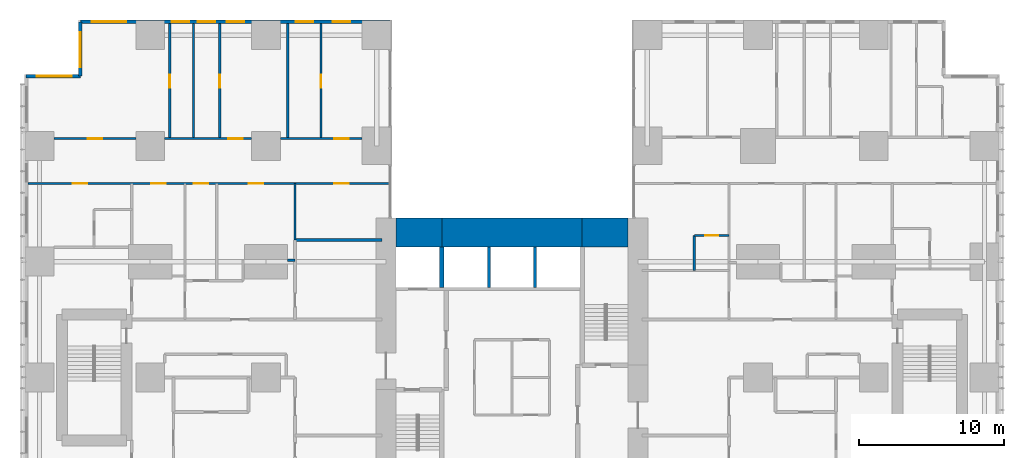
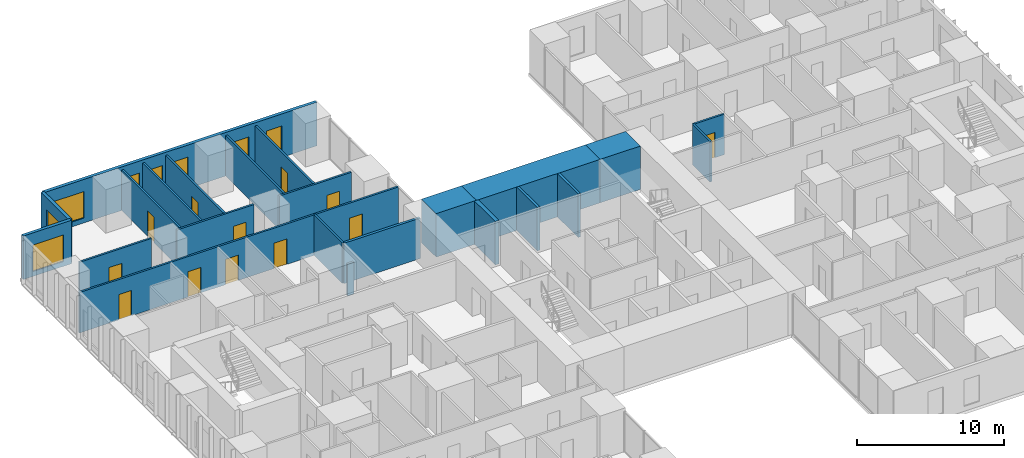
# One storey, part 17 of 21: 23 walls, 12 doors, 8 windows, 20 openings.
"""IFC4 building model written with IfcOpenShell, lengths in metres."""

from ifc_helpers import new_model, si_unit, direction, frame, frame_2d, origin, place, context, subcontext, project, spatial, rectangle, extrude, material, layer, layer_set, type_object, element, fill, save


model = new_model("IFC4")

# Units and contexts
model_context = context("Model", 3, precision=1e-05, world=origin(), true_north=direction((0.0, 1.0)))
body_context = subcontext(model_context, "Body", "Model", "MODEL_VIEW")
ifc_project = project(units=[si_unit("LENGTHUNIT", "METRE"), si_unit("AREAUNIT", "SQUARE_METRE"), si_unit("VOLUMEUNIT", "CUBIC_METRE"), si_unit("PLANEANGLEUNIT", "RADIAN"), si_unit("MASSUNIT", "GRAM", prefix="KILO")], contexts=[model_context])

# Site, building, storey
site_placement = place(None, origin())
site = spatial("IfcSite", under=ifc_project, at=site_placement, CompositionType="ELEMENT")
building_placement = place(site_placement, origin())
building = spatial("IfcBuilding", under=site, at=building_placement, Name="Cleftline Residences", CompositionType="ELEMENT")
storey_placement = place(building_placement, frame((0.0, 0.0, 161.0)))
storey = spatial("IfcBuildingStorey", under=building, at=storey_placement, Name="L42", CompositionType="ELEMENT", Elevation=161.0)

# Walls
ifc_material_1 = material(Name="Concrete B70", Category="concrete")
ifc_layer_1 = layer(ifc_material_1, 2.0)
ifc_layer_set_1 = layer_set([ifc_layer_1], Name="CORE WALL 2000")
wall_type_1 = type_object("IfcWallType", Name="CORE WALL 2000", PredefinedType="SHEAR", material=ifc_layer_set_1)
wall_1_placement = place(storey_placement, frame((25.0, 34.0, 0.0), z_axis=(0.0, 0.0, 1.0), x_axis=(1.0, 0.0, 0.0)))
element("IfcWall", 1, at=wall_1_placement, inside=storey, type_object=wall_type_1, Name="Core wall N1", PredefinedType="SHEAR", context=body_context, shape_type="SweptSolid", body=[
    extrude(rectangle(XDim=3.14990234375, YDim=2.0, at=frame_2d((1.574951171875, 0.0))), origin(), (0.0, 0.0, 1.0), 3.60009765625),
])
wall_2_placement = place(storey_placement, frame((28.14990234375, 34.0, 0.0), z_axis=(0.0, 0.0, 1.0), x_axis=(1.0, 0.0, 0.0)))
element("IfcWall", 2, at=wall_2_placement, inside=storey, type_object=wall_type_1, Name="Core wall N2", PredefinedType="SHEAR", context=body_context, shape_type="SweptSolid", body=[
    extrude(rectangle(XDim=9.7001953125, YDim=2.0, at=frame_2d((4.85009765625, 0.0))), origin(), (0.0, 0.0, 1.0), 3.60009765625),
])
wall_3_placement = place(storey_placement, frame((37.85009765625, 34.0, 0.0), z_axis=(0.0, 0.0, 1.0), x_axis=(1.0, 0.0, 0.0)))
element("IfcWall", 3, at=wall_3_placement, inside=storey, type_object=wall_type_1, Name="Core wall N3", PredefinedType="SHEAR", context=body_context, shape_type="SweptSolid", body=[
    extrude(rectangle(XDim=3.14990234375, YDim=2.0, at=frame_2d((1.574951171875, 0.0))), origin(), (0.0, 0.0, 1.0), 3.60009765625),
])
ifc_material_2 = material(Name="Concrete B70", Category="concrete")
ifc_layer_2 = layer(ifc_material_2, 0.300048828125)
ifc_layer_set_2 = layer_set([ifc_layer_2], Name="CORE WALL 300")
wall_type_2 = type_object("IfcWallType", Name="CORE WALL 300", PredefinedType="SHEAR", material=ifc_layer_set_2)
wall_4_placement = place(storey_placement, frame((28.14990234375, 30.199951171875, 0.0), z_axis=(0.0, 0.0, 1.0), x_axis=(0.0, 1.0, 0.0)))
element("IfcWall", 4, at=wall_4_placement, inside=storey, type_object=wall_type_2, Name="Lift shaft wall", PredefinedType="SHEAR", context=body_context, shape_type="SweptSolid", body=[
    extrude(rectangle(XDim=2.800048828125, YDim=0.300048828125, at=frame_2d((1.39990234375, 0.0))), origin(), (0.0, 0.0, 1.0), 3.60009765625),
])

# Wall, openings, windows
ifc_material_3 = material(Name="Rendered reinforced concrete blockwork", Category="masonry")
ifc_layer_3 = layer(ifc_material_3, 0.25)
ifc_layer_set_3 = layer_set([ifc_layer_3], Name="EXTERNAL WALL 250")
wall_type_3 = type_object("IfcWallType", Name="EXTERNAL WALL 250", PredefinedType="SOLIDWALL", material=ifc_layer_set_3)
wall_5_placement = place(storey_placement, frame((24.574951171875, 48.574951171875, 0.0), z_axis=(0.0, 0.0, 1.0), x_axis=(-1.0, 0.0, 0.0)))
wall_5 = element("IfcWall", 5, at=wall_5_placement, inside=storey, type_object=wall_type_3, Name="External wall", PredefinedType="SOLIDWALL", context=body_context, shape_type="SweptSolid", body=[
    extrude(rectangle(XDim=21.39990234375, YDim=0.25, at=frame_2d((10.699951171875, 0.0))), origin(), (0.0, 0.0, 1.0), 3.60009765625),
])
opening_1_placement = place(wall_5_placement, frame((2.75, 0.0, 0.39990234375)))
opening_1 = element("IfcOpeningElement", 6, at=opening_1_placement, cuts=wall_5, Name="Opening W11", PredefinedType="OPENING", context=body_context, shape_type="SweptSolid", body=[
    extrude(rectangle(XDim=1.199951171875, YDim=2.199951171875, at=frame_2d((0.60009765625, 1.10009765625))), frame((0.0, 0.135009765625, 0.0), z_axis=(0.0, -1.0, 0.0), x_axis=(1.0, 0.0, 0.0)), (0.0, 0.0, 1.0), 0.27001953125),
])
opening_2_placement = place(wall_5_placement, frame((5.324951171875, 0.0, 0.39990234375)))
opening_2 = element("IfcOpeningElement", 7, at=opening_2_placement, cuts=wall_5, Name="Opening W11", PredefinedType="OPENING", context=body_context, shape_type="SweptSolid", body=[
    extrude(rectangle(XDim=1.199951171875, YDim=2.199951171875, at=frame_2d((0.60009765625, 1.10009765625))), frame((0.0, 0.135009765625, 0.0), z_axis=(0.0, -1.0, 0.0), x_axis=(1.0, 0.0, 0.0)), (0.0, 0.0, 1.0), 0.27001953125),
])
opening_3_placement = place(wall_5_placement, frame((10.074951171875, 0.0, 0.39990234375)))
opening_3 = element("IfcOpeningElement", 8, at=opening_3_placement, cuts=wall_5, Name="Opening W11", PredefinedType="OPENING", context=body_context, shape_type="SweptSolid", body=[
    extrude(rectangle(XDim=1.199951171875, YDim=2.199951171875, at=frame_2d((0.60009765625, 1.10009765625))), frame((0.0, 0.135009765625, 0.0), z_axis=(0.0, -1.0, 0.0), x_axis=(1.0, 0.0, 0.0)), (0.0, 0.0, 1.0), 0.27001953125),
])
opening_4_placement = place(wall_5_placement, frame((12.074951171875, 0.0, 0.39990234375)))
opening_4 = element("IfcOpeningElement", 9, at=opening_4_placement, cuts=wall_5, Name="Opening W11", PredefinedType="OPENING", context=body_context, shape_type="SweptSolid", body=[
    extrude(rectangle(XDim=1.199951171875, YDim=2.199951171875, at=frame_2d((0.60009765625, 1.10009765625))), frame((0.0, 0.135009765625, 0.0), z_axis=(0.0, -1.0, 0.0), x_axis=(1.0, 0.0, 0.0)), (0.0, 0.0, 1.0), 0.27001953125),
])
opening_5_placement = place(wall_5_placement, frame((13.875, 0.0, 0.39990234375)))
opening_5 = element("IfcOpeningElement", 10, at=opening_5_placement, cuts=wall_5, Name="Opening W11", PredefinedType="OPENING", context=body_context, shape_type="SweptSolid", body=[
    extrude(rectangle(XDim=1.199951171875, YDim=2.199951171875, at=frame_2d((0.60009765625, 1.10009765625))), frame((0.0, 0.135009765625, 0.0), z_axis=(0.0, -1.0, 0.0), x_axis=(1.0, 0.0, 0.0)), (0.0, 0.0, 1.0), 0.27001953125),
])
opening_6_placement = place(wall_5_placement, frame((18.22509765625, 0.0, 0.39990234375)))
opening_6 = element("IfcOpeningElement", 11, at=opening_6_placement, cuts=wall_5, Name="Opening W12", PredefinedType="OPENING", context=body_context, shape_type="SweptSolid", body=[
    extrude(rectangle(XDim=2.39990234375, YDim=2.199951171875, at=frame_2d((1.199951171875, 1.10009765625))), frame((0.0, 0.135009765625, 0.0), z_axis=(0.0, -1.0, 0.0), x_axis=(1.0, 0.0, 0.0)), (0.0, 0.0, 1.0), 0.27001953125),
])
ifc_material_4 = material(Name="Aluminium frame, clear double glazing", Category="aluminium")
window_type_1 = type_object("IfcWindowType", Name="WINDOW 1200X2200", PartitioningType="DOUBLE_PANEL_VERTICAL", PredefinedType="WINDOW", material=ifc_material_4)
window_1_placement = place(opening_1_placement, origin())
window_1 = element("IfcWindow", 12, at=window_1_placement, inside=storey, type_object=window_type_1, Name="Window", OverallHeight=2.199951171875, OverallWidth=1.199951171875, PartitioningType="SINGLE_PANEL", PredefinedType="WINDOW", context=body_context, shape_type="SweptSolid", body=[
    extrude(rectangle(XDim=1.199951171875, YDim=2.199951171875, at=frame_2d((0.60009765625, 1.10009765625))), frame((0.0, 0.030029296875, 0.0), z_axis=(0.0, -1.0, 0.0), x_axis=(1.0, 0.0, 0.0)), (0.0, 0.0, 1.0), 0.06005859375),
])
fill(opening_1, window_1)
window_2_placement = place(opening_2_placement, origin())
window_2 = element("IfcWindow", 13, at=window_2_placement, inside=storey, type_object=window_type_1, Name="Window", OverallHeight=2.199951171875, OverallWidth=1.199951171875, PartitioningType="SINGLE_PANEL", PredefinedType="WINDOW", context=body_context, shape_type="SweptSolid", body=[
    extrude(rectangle(XDim=1.199951171875, YDim=2.199951171875, at=frame_2d((0.60009765625, 1.10009765625))), frame((0.0, 0.030029296875, 0.0), z_axis=(0.0, -1.0, 0.0), x_axis=(1.0, 0.0, 0.0)), (0.0, 0.0, 1.0), 0.06005859375),
])
fill(opening_2, window_2)
window_3_placement = place(opening_3_placement, origin())
window_3 = element("IfcWindow", 14, at=window_3_placement, inside=storey, type_object=window_type_1, Name="Window", OverallHeight=2.199951171875, OverallWidth=1.199951171875, PartitioningType="SINGLE_PANEL", PredefinedType="WINDOW", context=body_context, shape_type="SweptSolid", body=[
    extrude(rectangle(XDim=1.199951171875, YDim=2.199951171875, at=frame_2d((0.60009765625, 1.10009765625))), frame((0.0, 0.030029296875, 0.0), z_axis=(0.0, -1.0, 0.0), x_axis=(1.0, 0.0, 0.0)), (0.0, 0.0, 1.0), 0.06005859375),
])
fill(opening_3, window_3)
window_4_placement = place(opening_4_placement, origin())
window_4 = element("IfcWindow", 15, at=window_4_placement, inside=storey, type_object=window_type_1, Name="Window", OverallHeight=2.199951171875, OverallWidth=1.199951171875, PartitioningType="SINGLE_PANEL", PredefinedType="WINDOW", context=body_context, shape_type="SweptSolid", body=[
    extrude(rectangle(XDim=1.199951171875, YDim=2.199951171875, at=frame_2d((0.60009765625, 1.10009765625))), frame((0.0, 0.030029296875, 0.0), z_axis=(0.0, -1.0, 0.0), x_axis=(1.0, 0.0, 0.0)), (0.0, 0.0, 1.0), 0.06005859375),
])
fill(opening_4, window_4)
window_5_placement = place(opening_5_placement, origin())
window_5 = element("IfcWindow", 16, at=window_5_placement, inside=storey, type_object=window_type_1, Name="Window", OverallHeight=2.199951171875, OverallWidth=1.199951171875, PartitioningType="SINGLE_PANEL", PredefinedType="WINDOW", context=body_context, shape_type="SweptSolid", body=[
    extrude(rectangle(XDim=1.199951171875, YDim=2.199951171875, at=frame_2d((0.60009765625, 1.10009765625))), frame((0.0, 0.030029296875, 0.0), z_axis=(0.0, -1.0, 0.0), x_axis=(1.0, 0.0, 0.0)), (0.0, 0.0, 1.0), 0.06005859375),
])
fill(opening_5, window_5)
ifc_material_5 = material(Name="Aluminium frame, clear double glazing", Category="aluminium")
window_type_2 = type_object("IfcWindowType", Name="WINDOW 2400X2200", PartitioningType="DOUBLE_PANEL_VERTICAL", PredefinedType="WINDOW", material=ifc_material_5)
window_6_placement = place(opening_6_placement, origin())
window_6 = element("IfcWindow", 17, at=window_6_placement, inside=storey, type_object=window_type_2, Name="Window", OverallHeight=2.199951171875, OverallWidth=2.39990234375, PartitioningType="SINGLE_PANEL", PredefinedType="WINDOW", context=body_context, shape_type="SweptSolid", body=[
    extrude(rectangle(XDim=2.39990234375, YDim=2.199951171875, at=frame_2d((1.199951171875, 1.10009765625))), frame((0.0, 0.030029296875, 0.0), z_axis=(0.0, -1.0, 0.0), x_axis=(1.0, 0.0, 0.0)), (0.0, 0.0, 1.0), 0.06005859375),
])
fill(opening_6, window_6)

# Wall, opening, window
wall_6_placement = place(storey_placement, frame((3.175048828125, 48.574951171875, 0.0), z_axis=(0.0, 0.0, 1.0), x_axis=(0.0, -1.0, 0.0)))
wall_6 = element("IfcWall", 18, at=wall_6_placement, inside=storey, type_object=wall_type_3, Name="External wall", PredefinedType="SOLIDWALL", context=body_context, shape_type="SweptSolid", body=[
    extrude(rectangle(XDim=3.75, YDim=0.25, at=frame_2d((1.875, 0.0))), origin(), (0.0, 0.0, 1.0), 3.60009765625),
])
opening_7_placement = place(wall_6_placement, frame((0.737548828125, 0.0, 0.39990234375)))
opening_7 = element("IfcOpeningElement", 19, at=opening_7_placement, cuts=wall_6, Name="Opening W12", PredefinedType="OPENING", context=body_context, shape_type="SweptSolid", body=[
    extrude(rectangle(XDim=2.39990234375, YDim=2.199951171875, at=frame_2d((1.199951171875, 1.10009765625))), frame((0.0, 0.135009765625, 0.0), z_axis=(0.0, -1.0, 0.0), x_axis=(1.0, 0.0, 0.0)), (0.0, 0.0, 1.0), 0.27001953125),
])
window_7_placement = place(opening_7_placement, origin())
window_7 = element("IfcWindow", 20, at=window_7_placement, inside=storey, type_object=window_type_2, Name="Window", OverallHeight=2.199951171875, OverallWidth=2.39990234375, PartitioningType="SINGLE_PANEL", PredefinedType="WINDOW", context=body_context, shape_type="SweptSolid", body=[
    extrude(rectangle(XDim=2.39990234375, YDim=2.199951171875, at=frame_2d((1.199951171875, 1.10009765625))), frame((0.0, 0.030029296875, 0.0), z_axis=(0.0, -1.0, 0.0), x_axis=(1.0, 0.0, 0.0)), (0.0, 0.0, 1.0), 0.06005859375),
])
fill(opening_7, window_7)

wall_7_placement = place(storey_placement, frame((3.175048828125, 44.824951171875, 0.0), z_axis=(0.0, 0.0, 1.0), x_axis=(-1.0, 0.0, 0.0)))
wall_7 = element("IfcWall", 21, at=wall_7_placement, inside=storey, type_object=wall_type_3, Name="External wall", PredefinedType="SOLIDWALL", context=body_context, shape_type="SweptSolid", body=[
    extrude(rectangle(XDim=3.75, YDim=0.25, at=frame_2d((1.875, 0.0))), origin(), (0.0, 0.0, 1.0), 3.60009765625),
])
opening_8_placement = place(wall_7_placement, frame((0.612548828125, 0.0, 0.39990234375)))
opening_8 = element("IfcOpeningElement", 22, at=opening_8_placement, cuts=wall_7, Name="Opening W12", PredefinedType="OPENING", context=body_context, shape_type="SweptSolid", body=[
    extrude(rectangle(XDim=2.39990234375, YDim=2.199951171875, at=frame_2d((1.199951171875, 1.10009765625))), frame((0.0, 0.135009765625, 0.0), z_axis=(0.0, -1.0, 0.0), x_axis=(1.0, 0.0, 0.0)), (0.0, 0.0, 1.0), 0.27001953125),
])
window_8_placement = place(opening_8_placement, origin())
window_8 = element("IfcWindow", 23, at=window_8_placement, inside=storey, type_object=window_type_2, Name="Window", OverallHeight=2.199951171875, OverallWidth=2.39990234375, PartitioningType="SINGLE_PANEL", PredefinedType="WINDOW", context=body_context, shape_type="SweptSolid", body=[
    extrude(rectangle(XDim=2.39990234375, YDim=2.199951171875, at=frame_2d((1.199951171875, 1.10009765625))), frame((0.0, 0.030029296875, 0.0), z_axis=(0.0, -1.0, 0.0), x_axis=(1.0, 0.0, 0.0)), (0.0, 0.0, 1.0), 0.06005859375),
])
fill(opening_8, window_8)

# Walls
ifc_material_6 = material(Name="Concrete blockwork, fire rated", Category="masonry")
ifc_layer_4 = layer(ifc_material_6, 0.199951171875)
ifc_layer_set_4 = layer_set([ifc_layer_4], Name="FIRE WALL 200")
wall_type_4 = type_object("IfcWallType", Name="FIRE WALL 200", PredefinedType="PARTITIONING", material=ifc_layer_set_4)
wall_8_placement = place(storey_placement, frame((18.0, 33.5, 0.0), z_axis=(0.0, 0.0, 1.0), x_axis=(1.0, 0.0, 0.0)))
element("IfcWall", 24, at=wall_8_placement, inside=storey, type_object=wall_type_4, Name="Fire separating wall", PredefinedType="PARTITIONING", context=body_context, shape_type="SweptSolid", body=[
    extrude(rectangle(XDim=6.0, YDim=0.199951171875, at=frame_2d((3.0, 0.0))), origin(), (0.0, 0.0, 1.0), 3.35009765625),
])
ifc_material_7 = material(Name="Gypsum board on steel studs", Category="steel")
ifc_layer_5 = layer(ifc_material_7, 0.14990234375)
ifc_layer_set_5 = layer_set([ifc_layer_5], Name="PARTITION 150")
wall_type_5 = type_object("IfcWallType", Name="PARTITION 150", PredefinedType="PARTITIONING", material=ifc_layer_set_5)
wall_9_placement = place(storey_placement, frame((17.5, 32.10009765625, 0.0), z_axis=(0.0, 0.0, 1.0), x_axis=(1.0, 0.0, 0.0)))
element("IfcWall", 25, at=wall_9_placement, inside=storey, type_object=wall_type_5, Name="Partition", PredefinedType="PARTITIONING", context=body_context, shape_type="SweptSolid", body=[
    extrude(rectangle(XDim=0.5, YDim=0.14990234375, at=frame_2d((0.25, 0.0))), origin(), (0.0, 0.0, 1.0), 2.634033203125),
])

# Wall, opening, door
wall_10_placement = place(storey_placement, frame((45.60009765625, 33.800048828125, 0.0), z_axis=(0.0, 0.0, 1.0), x_axis=(1.0, 0.0, 0.0)))
wall_10 = element("IfcWall", 26, at=wall_10_placement, inside=storey, type_object=wall_type_5, Name="Partition", PredefinedType="PARTITIONING", context=body_context, shape_type="SweptSolid", body=[
    extrude(rectangle(XDim=2.39990234375, YDim=0.14990234375, at=frame_2d((1.199951171875, 0.0))), origin(), (0.0, 0.0, 1.0), 3.35009765625),
])
opening_9_placement = place(wall_10_placement, frame((0.75, 0.0, 0.0)))
opening_9 = element("IfcOpeningElement", 27, at=opening_9_placement, cuts=wall_10, Name="Opening D1", PredefinedType="OPENING", context=body_context, shape_type="SweptSolid", body=[
    extrude(rectangle(XDim=0.89990234375, YDim=2.10009765625, at=frame_2d((0.449951171875, 1.050048828125))), frame((0.0, 0.0849609375, 0.0), z_axis=(0.0, -1.0, 0.0), x_axis=(1.0, 0.0, 0.0)), (0.0, 0.0, 1.0), 0.169921875),
])
ifc_material_8 = material(Name="Timber veneer on solid core", Category="wood")
door_type_1 = type_object("IfcDoorType", Name="DOOR 900X2100", OperationType="SINGLE_SWING_LEFT", PredefinedType="DOOR", material=ifc_material_8)
door_1_placement = place(opening_9_placement, origin())
door_1 = element("IfcDoor", 28, at=door_1_placement, inside=storey, type_object=door_type_1, Name="Door to staff shower room", OperationType="SINGLE_SWING_LEFT", OverallHeight=2.10009765625, OverallWidth=0.89990234375, PredefinedType="DOOR", context=body_context, shape_type="SweptSolid", body=[
    extrude(rectangle(XDim=0.89990234375, YDim=2.10009765625, at=frame_2d((0.449951171875, 1.050048828125))), frame((0.0, 0.02490234375, 0.0), z_axis=(0.0, -1.0, 0.0), x_axis=(1.0, 0.0, 0.0)), (0.0, 0.0, 1.0), 0.050048828125),
])
fill(opening_9, door_1)

# Wall, openings, doors
wall_11_placement = place(storey_placement, frame((-0.449951171875, 37.39990234375, 0.0), z_axis=(0.0, 0.0, 1.0), x_axis=(1.0, 0.0, 0.0)))
wall_11 = element("IfcWall", 29, at=wall_11_placement, inside=storey, type_object=wall_type_5, Name="Partition", PredefinedType="PARTITIONING", context=body_context, shape_type="SweptSolid", body=[
    extrude(rectangle(XDim=25.010986328125, YDim=0.14990234375, at=frame_2d((12.50537109375, 0.0))), origin(), (0.0, 0.0, 1.0), 3.35009765625),
])
opening_10_placement = place(wall_11_placement, frame((11.449951171875, 0.0, 0.0)))
opening_10 = element("IfcOpeningElement", 30, at=opening_10_placement, cuts=wall_11, Name="Opening D2", PredefinedType="OPENING", context=body_context, shape_type="SweptSolid", body=[
    extrude(rectangle(XDim=1.0, YDim=2.10009765625, at=frame_2d((0.5, 1.050048828125))), frame((0.0, 0.0849609375, 0.0), z_axis=(0.0, -1.0, 0.0), x_axis=(1.0, 0.0, 0.0)), (0.0, 0.0, 1.0), 0.169921875),
])
opening_11_placement = place(wall_11_placement, frame((3.08740234375, 0.0, 0.0)))
opening_11 = element("IfcOpeningElement", 31, at=opening_11_placement, cuts=wall_11, Name="Opening D2", PredefinedType="OPENING", context=body_context, shape_type="SweptSolid", body=[
    extrude(rectangle(XDim=1.0, YDim=2.10009765625, at=frame_2d((0.5, 1.050048828125))), frame((0.0, 0.0849609375, 0.0), z_axis=(0.0, -1.0, 0.0), x_axis=(1.0, 0.0, 0.0)), (0.0, 0.0, 1.0), 0.169921875),
])
opening_12_placement = place(wall_11_placement, frame((8.512451171875, 0.0, 0.0)))
opening_12 = element("IfcOpeningElement", 32, at=opening_12_placement, cuts=wall_11, Name="Opening D2", PredefinedType="OPENING", context=body_context, shape_type="SweptSolid", body=[
    extrude(rectangle(XDim=1.0, YDim=2.10009765625, at=frame_2d((0.5, 1.050048828125))), frame((0.0, 0.0849609375, 0.0), z_axis=(0.0, -1.0, 0.0), x_axis=(1.0, 0.0, 0.0)), (0.0, 0.0, 1.0), 0.169921875),
])
opening_13_placement = place(wall_11_placement, frame((15.25, 0.0, 0.0)))
opening_13 = element("IfcOpeningElement", 33, at=opening_13_placement, cuts=wall_11, Name="Opening D2", PredefinedType="OPENING", context=body_context, shape_type="SweptSolid", body=[
    extrude(rectangle(XDim=1.0, YDim=2.10009765625, at=frame_2d((0.5, 1.050048828125))), frame((0.0, 0.0849609375, 0.0), z_axis=(0.0, -1.0, 0.0), x_axis=(1.0, 0.0, 0.0)), (0.0, 0.0, 1.0), 0.169921875),
])
opening_14_placement = place(wall_11_placement, frame((21.175048828125, 0.0, 0.0)))
opening_14 = element("IfcOpeningElement", 34, at=opening_14_placement, cuts=wall_11, Name="Opening D2", PredefinedType="OPENING", context=body_context, shape_type="SweptSolid", body=[
    extrude(rectangle(XDim=1.0, YDim=2.10009765625, at=frame_2d((0.5, 1.050048828125))), frame((0.0, 0.0849609375, 0.0), z_axis=(0.0, -1.0, 0.0), x_axis=(1.0, 0.0, 0.0)), (0.0, 0.0, 1.0), 0.169921875),
])
ifc_material_9 = material(Name="Timber veneer on solid core", Category="wood")
door_type_2 = type_object("IfcDoorType", Name="DOOR 1000X2100", OperationType="SINGLE_SWING_LEFT", PredefinedType="DOOR", material=ifc_material_9)
door_2_placement = place(opening_10_placement, origin())
door_2 = element("IfcDoor", 35, at=door_2_placement, inside=storey, type_object=door_type_2, Name="Door to residence hall", OperationType="SINGLE_SWING_RIGHT", OverallHeight=2.10009765625, OverallWidth=1.0, PredefinedType="DOOR", context=body_context, shape_type="SweptSolid", body=[
    extrude(rectangle(XDim=1.0, YDim=2.10009765625, at=frame_2d((0.5, 1.050048828125))), frame((0.0, 0.02490234375, 0.0), z_axis=(0.0, -1.0, 0.0), x_axis=(1.0, 0.0, 0.0)), (0.0, 0.0, 1.0), 0.050048828125),
])
fill(opening_10, door_2)
door_3_placement = place(opening_11_placement, origin())
door_3 = element("IfcDoor", 36, at=door_3_placement, inside=storey, type_object=door_type_2, Name="Door to master bedroom", OperationType="SINGLE_SWING_RIGHT", OverallHeight=2.10009765625, OverallWidth=1.0, PredefinedType="DOOR", context=body_context, shape_type="SweptSolid", body=[
    extrude(rectangle(XDim=1.0, YDim=2.10009765625, at=frame_2d((0.5, 1.050048828125))), frame((0.0, 0.02490234375, 0.0), z_axis=(0.0, -1.0, 0.0), x_axis=(1.0, 0.0, 0.0)), (0.0, 0.0, 1.0), 0.050048828125),
])
fill(opening_11, door_3)
door_4_placement = place(opening_12_placement, origin())
door_4 = element("IfcDoor", 37, at=door_4_placement, inside=storey, type_object=door_type_2, Name="Door to show kitchen", OperationType="SINGLE_SWING_RIGHT", OverallHeight=2.10009765625, OverallWidth=1.0, PredefinedType="DOOR", context=body_context, shape_type="SweptSolid", body=[
    extrude(rectangle(XDim=1.0, YDim=2.10009765625, at=frame_2d((0.5, 1.050048828125))), frame((0.0, 0.02490234375, 0.0), z_axis=(0.0, -1.0, 0.0), x_axis=(1.0, 0.0, 0.0)), (0.0, 0.0, 1.0), 0.050048828125),
])
fill(opening_12, door_4)
door_5_placement = place(opening_13_placement, origin())
door_5 = element("IfcDoor", 38, at=door_5_placement, inside=storey, type_object=door_type_2, Name="Door to dining room", OperationType="SINGLE_SWING_LEFT", OverallHeight=2.10009765625, OverallWidth=1.0, PredefinedType="DOOR", context=body_context, shape_type="SweptSolid", body=[
    extrude(rectangle(XDim=1.0, YDim=2.10009765625, at=frame_2d((0.5, 1.050048828125))), frame((0.0, 0.02490234375, 0.0), z_axis=(0.0, -1.0, 0.0), x_axis=(1.0, 0.0, 0.0)), (0.0, 0.0, 1.0), 0.050048828125),
])
fill(opening_13, door_5)
door_6_placement = place(opening_14_placement, origin())
door_6 = element("IfcDoor", 39, at=door_6_placement, inside=storey, type_object=door_type_2, Name="Door to wet kitchen", OperationType="SINGLE_SWING_LEFT", OverallHeight=2.10009765625, OverallWidth=1.0, PredefinedType="DOOR", context=body_context, shape_type="SweptSolid", body=[
    extrude(rectangle(XDim=1.0, YDim=2.10009765625, at=frame_2d((0.5, 1.050048828125))), frame((0.0, 0.02490234375, 0.0), z_axis=(0.0, -1.0, 0.0), x_axis=(1.0, 0.0, 0.0)), (0.0, 0.0, 1.0), 0.050048828125),
])
fill(opening_14, door_6)

# Wall, opening, door
wall_12_placement = place(storey_placement, frame((1.35009765625, 40.5, 0.0), z_axis=(0.0, 0.0, 1.0), x_axis=(1.0, 0.0, 0.0)))
wall_12 = element("IfcWall", 40, at=wall_12_placement, inside=storey, type_object=wall_type_5, Name="Partition", PredefinedType="PARTITIONING", context=body_context, shape_type="SweptSolid", body=[
    extrude(rectangle(XDim=5.64990234375, YDim=0.14990234375, at=frame_2d((2.824951171875, 0.0))), origin(), (0.0, 0.0, 1.0), 3.35009765625),
])
opening_15_placement = place(wall_12_placement, frame((2.324951171875, 0.0, 0.0)))
opening_15 = element("IfcOpeningElement", 41, at=opening_15_placement, cuts=wall_12, Name="Opening D2", PredefinedType="OPENING", context=body_context, shape_type="SweptSolid", body=[
    extrude(rectangle(XDim=1.0, YDim=2.10009765625, at=frame_2d((0.5, 1.050048828125))), frame((0.0, 0.0849609375, 0.0), z_axis=(0.0, -1.0, 0.0), x_axis=(1.0, 0.0, 0.0)), (0.0, 0.0, 1.0), 0.169921875),
])
door_7_placement = place(opening_15_placement, origin())
door_7 = element("IfcDoor", 42, at=door_7_placement, inside=storey, type_object=door_type_2, Name="Door to living room", OperationType="SINGLE_SWING_LEFT", OverallHeight=2.10009765625, OverallWidth=1.0, PredefinedType="DOOR", context=body_context, shape_type="SweptSolid", body=[
    extrude(rectangle(XDim=1.0, YDim=2.10009765625, at=frame_2d((0.5, 1.050048828125))), frame((0.0, 0.02490234375, 0.0), z_axis=(0.0, -1.0, 0.0), x_axis=(1.0, 0.0, 0.0)), (0.0, 0.0, 1.0), 0.050048828125),
])
fill(opening_15, door_7)

wall_13_placement = place(storey_placement, frame((9.0, 40.5, 0.0), z_axis=(0.0, 0.0, 1.0), x_axis=(1.0, 0.0, 0.0)))
wall_13 = element("IfcWall", 43, at=wall_13_placement, inside=storey, type_object=wall_type_5, Name="Partition", PredefinedType="PARTITIONING", context=body_context, shape_type="SweptSolid", body=[
    extrude(rectangle(XDim=6.0, YDim=0.14990234375, at=frame_2d((3.0, 0.0))), origin(), (0.0, 0.0, 1.0), 3.35009765625),
])
opening_16_placement = place(wall_13_placement, frame((4.39990234375, 0.0, 0.0)))
opening_16 = element("IfcOpeningElement", 44, at=opening_16_placement, cuts=wall_13, Name="Opening D2", PredefinedType="OPENING", context=body_context, shape_type="SweptSolid", body=[
    extrude(rectangle(XDim=1.0, YDim=2.10009765625, at=frame_2d((0.5, 1.050048828125))), frame((0.0, 0.0849609375, 0.0), z_axis=(0.0, -1.0, 0.0), x_axis=(1.0, 0.0, 0.0)), (0.0, 0.0, 1.0), 0.169921875),
])
door_8_placement = place(opening_16_placement, origin())
door_8 = element("IfcDoor", 45, at=door_8_placement, inside=storey, type_object=door_type_2, Name="Door to bedroom 2", OperationType="SINGLE_SWING_LEFT", OverallHeight=2.10009765625, OverallWidth=1.0, PredefinedType="DOOR", context=body_context, shape_type="SweptSolid", body=[
    extrude(rectangle(XDim=1.0, YDim=2.10009765625, at=frame_2d((0.5, 1.050048828125))), frame((0.0, 0.02490234375, 0.0), z_axis=(0.0, -1.0, 0.0), x_axis=(1.0, 0.0, 0.0)), (0.0, 0.0, 1.0), 0.050048828125),
])
fill(opening_16, door_8)

wall_14_placement = place(storey_placement, frame((17.0, 40.5, 0.0), z_axis=(0.0, 0.0, 1.0), x_axis=(1.0, 0.0, 0.0)))
wall_14 = element("IfcWall", 46, at=wall_14_placement, inside=storey, type_object=wall_type_5, Name="Partition", PredefinedType="PARTITIONING", context=body_context, shape_type="SweptSolid", body=[
    extrude(rectangle(XDim=5.64990234375, YDim=0.14990234375, at=frame_2d((2.824951171875, 0.0))), origin(), (0.0, 0.0, 1.0), 3.35009765625),
])
opening_17_placement = place(wall_14_placement, frame((3.72509765625, 0.0, 0.0)))
opening_17 = element("IfcOpeningElement", 47, at=opening_17_placement, cuts=wall_14, Name="Opening D2", PredefinedType="OPENING", context=body_context, shape_type="SweptSolid", body=[
    extrude(rectangle(XDim=1.0, YDim=2.10009765625, at=frame_2d((0.5, 1.050048828125))), frame((0.0, 0.0849609375, 0.0), z_axis=(0.0, -1.0, 0.0), x_axis=(1.0, 0.0, 0.0)), (0.0, 0.0, 1.0), 0.169921875),
])
door_9_placement = place(opening_17_placement, origin())
door_9 = element("IfcDoor", 48, at=door_9_placement, inside=storey, type_object=door_type_2, Name="Door to bedroom 3", OperationType="SINGLE_SWING_LEFT", OverallHeight=2.10009765625, OverallWidth=1.0, PredefinedType="DOOR", context=body_context, shape_type="SweptSolid", body=[
    extrude(rectangle(XDim=1.0, YDim=2.10009765625, at=frame_2d((0.5, 1.050048828125))), frame((0.0, 0.02490234375, 0.0), z_axis=(0.0, -1.0, 0.0), x_axis=(1.0, 0.0, 0.0)), (0.0, 0.0, 1.0), 0.050048828125),
])
fill(opening_17, door_9)

wall_15_placement = place(storey_placement, frame((9.35009765625, 40.5, 0.0), z_axis=(0.0, 0.0, 1.0), x_axis=(0.0, 1.0, 0.0)))
wall_15 = element("IfcWall", 49, at=wall_15_placement, inside=storey, type_object=wall_type_5, Name="Partition", PredefinedType="PARTITIONING", context=body_context, shape_type="SweptSolid", body=[
    extrude(rectangle(XDim=7.949951171875, YDim=0.14990234375, at=frame_2d((3.97509765625, 0.0))), origin(), (0.0, 0.0, 1.0), 3.35009765625),
])
opening_18_placement = place(wall_15_placement, frame((3.52490234375, 0.0, 0.0)))
opening_18 = element("IfcOpeningElement", 50, at=opening_18_placement, cuts=wall_15, Name="Opening D1", PredefinedType="OPENING", context=body_context, shape_type="SweptSolid", body=[
    extrude(rectangle(XDim=0.89990234375, YDim=2.10009765625, at=frame_2d((0.449951171875, 1.050048828125))), frame((0.0, 0.0849609375, 0.0), z_axis=(0.0, -1.0, 0.0), x_axis=(1.0, 0.0, 0.0)), (0.0, 0.0, 1.0), 0.169921875),
])
door_10_placement = place(opening_18_placement, origin())
door_10 = element("IfcDoor", 51, at=door_10_placement, inside=storey, type_object=door_type_1, Name="Door to store room", OperationType="SINGLE_SWING_LEFT", OverallHeight=2.10009765625, OverallWidth=0.89990234375, PredefinedType="DOOR", context=body_context, shape_type="SweptSolid", body=[
    extrude(rectangle(XDim=0.89990234375, YDim=2.10009765625, at=frame_2d((0.449951171875, 1.050048828125))), frame((0.0, 0.02490234375, 0.0), z_axis=(0.0, -1.0, 0.0), x_axis=(1.0, 0.0, 0.0)), (0.0, 0.0, 1.0), 0.050048828125),
])
fill(opening_18, door_10)

# Wall
wall_16_placement = place(storey_placement, frame((11.0, 40.5, 0.0), z_axis=(0.0, 0.0, 1.0), x_axis=(0.0, 1.0, 0.0)))
element("IfcWall", 52, at=wall_16_placement, inside=storey, type_object=wall_type_5, Name="Partition", PredefinedType="PARTITIONING", context=body_context, shape_type="SweptSolid", body=[
    extrude(rectangle(XDim=7.949951171875, YDim=0.14990234375, at=frame_2d((3.97509765625, 0.0))), origin(), (0.0, 0.0, 1.0), 3.35009765625),
])

# Wall, opening, door
wall_17_placement = place(storey_placement, frame((12.800048828125, 40.5, 0.0), z_axis=(0.0, 0.0, 1.0), x_axis=(0.0, 1.0, 0.0)))
wall_17 = element("IfcWall", 53, at=wall_17_placement, inside=storey, type_object=wall_type_5, Name="Partition", PredefinedType="PARTITIONING", context=body_context, shape_type="SweptSolid", body=[
    extrude(rectangle(XDim=7.949951171875, YDim=0.14990234375, at=frame_2d((3.97509765625, 0.0))), origin(), (0.0, 0.0, 1.0), 3.35009765625),
])
opening_19_placement = place(wall_17_placement, frame((3.52490234375, 0.0, 0.0)))
opening_19 = element("IfcOpeningElement", 54, at=opening_19_placement, cuts=wall_17, Name="Opening D1", PredefinedType="OPENING", context=body_context, shape_type="SweptSolid", body=[
    extrude(rectangle(XDim=0.89990234375, YDim=2.10009765625, at=frame_2d((0.449951171875, 1.050048828125))), frame((0.0, 0.0849609375, 0.0), z_axis=(0.0, -1.0, 0.0), x_axis=(1.0, 0.0, 0.0)), (0.0, 0.0, 1.0), 0.169921875),
])
door_11_placement = place(opening_19_placement, origin())
door_11 = element("IfcDoor", 55, at=door_11_placement, inside=storey, type_object=door_type_1, Name="Door to en-suite bathroom 2", OperationType="SINGLE_SWING_LEFT", OverallHeight=2.10009765625, OverallWidth=0.89990234375, PredefinedType="DOOR", context=body_context, shape_type="SweptSolid", body=[
    extrude(rectangle(XDim=0.89990234375, YDim=2.10009765625, at=frame_2d((0.449951171875, 1.050048828125))), frame((0.0, 0.02490234375, 0.0), z_axis=(0.0, -1.0, 0.0), x_axis=(1.0, 0.0, 0.0)), (0.0, 0.0, 1.0), 0.050048828125),
])
fill(opening_19, door_11)

# Walls
wall_18_placement = place(storey_placement, frame((17.5, 40.5, 0.0), z_axis=(0.0, 0.0, 1.0), x_axis=(0.0, 1.0, 0.0)))
element("IfcWall", 56, at=wall_18_placement, inside=storey, type_object=wall_type_5, Name="Partition", PredefinedType="PARTITIONING", context=body_context, shape_type="SweptSolid", body=[
    extrude(rectangle(XDim=7.949951171875, YDim=0.14990234375, at=frame_2d((3.97509765625, 0.0))), origin(), (0.0, 0.0, 1.0), 3.35009765625),
])
wall_19_placement = place(storey_placement, frame((18.0, 33.5, 0.0), z_axis=(0.0, 0.0, 1.0), x_axis=(0.0, 1.0, 0.0)))
element("IfcWall", 57, at=wall_19_placement, inside=storey, type_object=wall_type_5, Name="Partition", PredefinedType="PARTITIONING", context=body_context, shape_type="SweptSolid", body=[
    extrude(rectangle(XDim=3.89990234375, YDim=0.14990234375, at=frame_2d((1.949951171875, 0.0))), origin(), (0.0, 0.0, 1.0), 3.35009765625),
])

# Wall, opening, door
wall_20_placement = place(storey_placement, frame((19.800048828125, 40.5, 0.0), z_axis=(0.0, 0.0, 1.0), x_axis=(0.0, 1.0, 0.0)))
wall_20 = element("IfcWall", 58, at=wall_20_placement, inside=storey, type_object=wall_type_5, Name="Partition", PredefinedType="PARTITIONING", context=body_context, shape_type="SweptSolid", body=[
    extrude(rectangle(XDim=7.949951171875, YDim=0.14990234375, at=frame_2d((3.97509765625, 0.0))), origin(), (0.0, 0.0, 1.0), 3.35009765625),
])
opening_20_placement = place(wall_20_placement, frame((3.52490234375, 0.0, 0.0)))
opening_20 = element("IfcOpeningElement", 59, at=opening_20_placement, cuts=wall_20, Name="Opening D1", PredefinedType="OPENING", context=body_context, shape_type="SweptSolid", body=[
    extrude(rectangle(XDim=0.89990234375, YDim=2.10009765625, at=frame_2d((0.449951171875, 1.050048828125))), frame((0.0, 0.0849609375, 0.0), z_axis=(0.0, -1.0, 0.0), x_axis=(1.0, 0.0, 0.0)), (0.0, 0.0, 1.0), 0.169921875),
])
door_12_placement = place(opening_20_placement, origin())
door_12 = element("IfcDoor", 60, at=door_12_placement, inside=storey, type_object=door_type_1, Name="Door to en-suite bathroom 3", OperationType="SINGLE_SWING_LEFT", OverallHeight=2.10009765625, OverallWidth=0.89990234375, PredefinedType="DOOR", context=body_context, shape_type="SweptSolid", body=[
    extrude(rectangle(XDim=0.89990234375, YDim=2.10009765625, at=frame_2d((0.449951171875, 1.050048828125))), frame((0.0, 0.02490234375, 0.0), z_axis=(0.0, -1.0, 0.0), x_axis=(1.0, 0.0, 0.0)), (0.0, 0.0, 1.0), 0.050048828125),
])
fill(opening_20, door_12)

# Walls
wall_21_placement = place(storey_placement, frame((45.60009765625, 31.39990234375, 0.0), z_axis=(0.0, 0.0, 1.0), x_axis=(0.0, 1.0, 0.0)))
element("IfcWall", 61, at=wall_21_placement, inside=storey, type_object=wall_type_5, Name="Partition", PredefinedType="PARTITIONING", context=body_context, shape_type="SweptSolid", body=[
    extrude(rectangle(XDim=2.400146484375, YDim=0.14990234375, at=frame_2d((1.2001953125, 0.0))), origin(), (0.0, 0.0, 1.0), 3.35009765625),
])
ifc_material_10 = material(Name="Concrete blockwork, fire rated", Category="masonry")
ifc_layer_6 = layer(ifc_material_10, 0.199951171875)
ifc_layer_set_6 = layer_set([ifc_layer_6], Name="SHAFT WALL 200")
wall_type_6 = type_object("IfcWallType", Name="SHAFT WALL 200", PredefinedType="PARTITIONING", material=ifc_layer_set_6)
for number, where, z_axis, x_axis, name in (
    (62, (31.39990234375, 30.199951171875, 0.0), (0.0, 0.0, 1.0), (0.0, 1.0, 0.0), "Lift shaft wall"),
    (63, (34.60009765625, 30.199951171875, 0.0), (0.0, 0.0, 1.0), (0.0, 1.0, 0.0), "Lift shaft wall"),
):
    element("IfcWall", number, at=place(storey_placement, frame(where, z_axis=z_axis, x_axis=x_axis)), inside=storey, type_object=wall_type_6, Name=name, PredefinedType="PARTITIONING", context=body_context, shape_type="SweptSolid", body=[
        extrude(rectangle(XDim=2.800048828125, YDim=0.199951171875, at=frame_2d((1.39990234375, 0.0))), origin(), (0.0, 0.0, 1.0), 3.60009765625),
    ])

save(model, "model.ifc")
